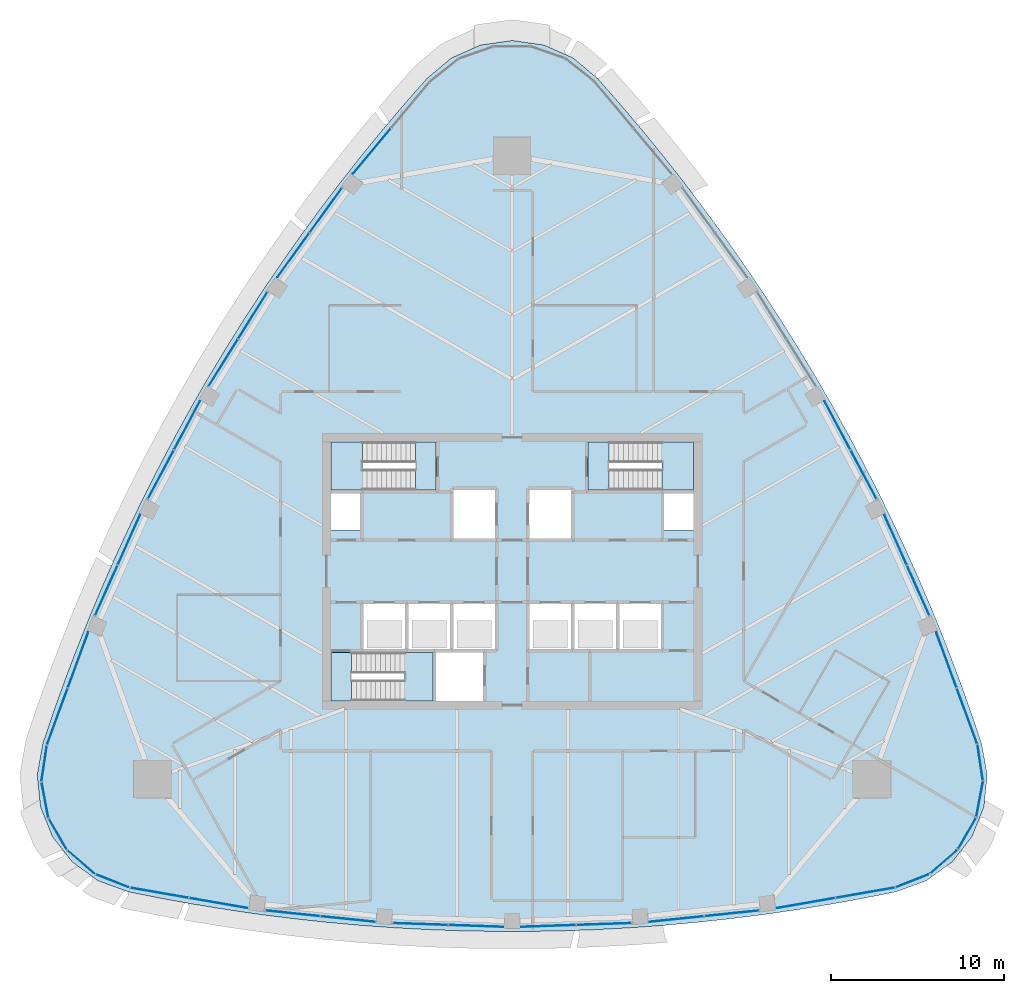
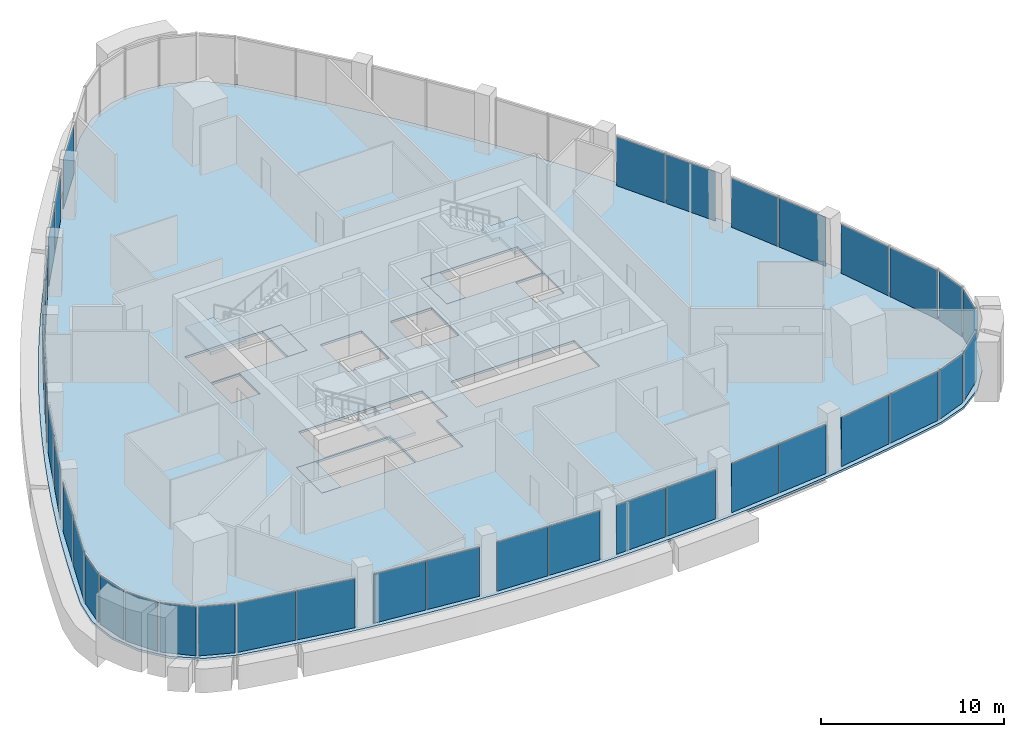
# One storey, part 7 of 15: 39 plates, 7 slabs, 28 elements without a shape of their own.
"""IFC4 building model written with IfcOpenShell, lengths in metres."""

from ifc_helpers import new_model, si_unit, direction, frame, origin, origin_2d, place, context, subcontext, project, spatial, polyline, rectangle, outline, extrude, material, layer, layer_set, type_object, element, aggregate, save


model = new_model("IFC4")

# Units and contexts
model_context = context("Model", 3, precision=1e-05, world=origin(), true_north=direction((0.0, 1.0)))
body_context = subcontext(model_context, "Body", "Model", "MODEL_VIEW")
ifc_project = project(units=[si_unit("LENGTHUNIT", "METRE"), si_unit("AREAUNIT", "SQUARE_METRE"), si_unit("VOLUMEUNIT", "CUBIC_METRE"), si_unit("PLANEANGLEUNIT", "RADIAN"), si_unit("MASSUNIT", "GRAM", prefix="KILO")], contexts=[model_context])

# Site, building, storey
site_placement = place(None, origin())
site = spatial("IfcSite", under=ifc_project, at=site_placement, CompositionType="ELEMENT")
building_placement = place(site_placement, origin())
building = spatial("IfcBuilding", under=site, at=building_placement, Name="Sierra Prisma Convention Tower", CompositionType="ELEMENT")
storey_placement = place(building_placement, frame((0.0, 0.0, 283.0)))
storey = spatial("IfcBuildingStorey", under=building, at=storey_placement, Name="L64", CompositionType="ELEMENT", Elevation=283.0)

# Curtain wall, plates
ifc_material_1 = material(Name="Aluminium and glass curtain wall", Category="aluminium")
ifc_layer_1 = layer(ifc_material_1, 0.179931640625)
ifc_layer_set_1 = layer_set([ifc_layer_1], Name="CW-1 Plain shaft curtain wall")
curtain_wall_type = type_object("IfcCurtainWallType", Name="CW-1 Plain shaft curtain wall", PredefinedType="NOTDEFINED", material=ifc_layer_set_1)
curtain_wall_1_placement = place(storey_placement, origin())
curtain_wall_1 = element("IfcCurtainWall", 1, at=curtain_wall_1_placement, inside=storey, type_object=curtain_wall_type, Name="CW-1 S1 L64", PredefinedType="NOTDEFINED")
ifc_material_2 = material(Name="Tinted glass bronze-grey IGU", Category="glass")
ifc_layer_2 = layer(ifc_material_2, 0.028076171875)
ifc_layer_set_2 = layer_set([ifc_layer_2], Name="CW-1 glass panel")
plate_type = type_object("IfcPlateType", Name="CW-1 glass panel", PredefinedType="CURTAIN_PANEL", material=ifc_layer_set_2)
plate_1_placement = place(storey_placement, frame((-20.418212890625, -18.607421875, 0.0), z_axis=(0.0, 0.0, 1.0), x_axis=(0.985269418337, -0.171009278371, 0.0)))
plate_1 = element("IfcPlate", 2, at=plate_1_placement, type_object=plate_type, Name="CW-1 panel S1.1", PredefinedType="CURTAIN_PANEL", context=body_context, shape_type="SweptSolid", body=[
    extrude(rectangle(XDim=3.38818359375, YDim=0.028076171875, at=origin_2d()), origin(), (0.0, 0.0, 1.0), 3.280029296875),
])
plate_2_placement = place(storey_placement, frame((-17.0107421875, -19.198974609375, 0.0), z_axis=(0.0, 0.0, 1.0), x_axis=(0.985269418337, -0.171009278371, 0.0)))
plate_2 = element("IfcPlate", 3, at=plate_2_placement, type_object=plate_type, Name="CW-1 panel S1.2", PredefinedType="CURTAIN_PANEL", context=body_context, shape_type="SweptSolid", body=[
    extrude(rectangle(XDim=3.38818359375, YDim=0.028076171875, at=origin_2d()), origin(), (0.0, 0.0, 1.0), 3.280029296875),
])
aggregate(curtain_wall_1, [plate_1, plate_2])

curtain_wall_2_placement = place(storey_placement, origin())
curtain_wall_2 = element("IfcCurtainWall", 4, at=curtain_wall_2_placement, inside=storey, type_object=curtain_wall_type, Name="CW-1 S2 L64", PredefinedType="NOTDEFINED")
plate_3_placement = place(storey_placement, frame((-12.7060546875, -19.79736328125, 0.0), z_axis=(0.0, 0.0, 1.0), x_axis=(0.994688628262, -0.102929746941, 0.0)))
plate_3 = element("IfcPlate", 5, at=plate_3_placement, type_object=plate_type, Name="CW-1 panel S2.1", PredefinedType="CURTAIN_PANEL", context=body_context, shape_type="SweptSolid", body=[
    extrude(rectangle(XDim=3.141357421875, YDim=0.028076171875, at=origin_2d()), origin(), (0.0, 0.0, 1.0), 3.280029296875),
])
plate_4_placement = place(storey_placement, frame((-9.51171875, -20.1279296875, 0.0), z_axis=(0.0, 0.0, 1.0), x_axis=(0.994688628262, -0.102929746941, 0.0)))
plate_4 = element("IfcPlate", 6, at=plate_4_placement, type_object=plate_type, Name="CW-1 panel S2.2", PredefinedType="CURTAIN_PANEL", context=body_context, shape_type="SweptSolid", body=[
    extrude(rectangle(XDim=3.141357421875, YDim=0.028076171875, at=origin_2d()), origin(), (0.0, 0.0, 1.0), 3.280029296875),
])
aggregate(curtain_wall_2, [plate_3, plate_4])

curtain_wall_3_placement = place(storey_placement, origin())
curtain_wall_3 = element("IfcCurtainWall", 7, at=curtain_wall_3_placement, inside=storey, type_object=curtain_wall_type, Name="CW-1 S3 L64", PredefinedType="NOTDEFINED")
plate_5_placement = place(storey_placement, frame((-5.32275390625, -20.41552734375, 0.0), z_axis=(0.0, 0.0, 1.0), x_axis=(0.999409382571, -0.034364022311, 0.0)))
plate_5 = element("IfcPlate", 8, at=plate_5_placement, type_object=plate_type, Name="CW-1 panel S3.1", PredefinedType="CURTAIN_PANEL", context=body_context, shape_type="SweptSolid", body=[
    extrude(rectangle(XDim=3.1572265625, YDim=0.028076171875, at=origin_2d()), origin(), (0.0, 0.0, 1.0), 3.280029296875),
])
plate_6_placement = place(storey_placement, frame((-2.097412109375, -20.5263671875, 0.0), z_axis=(0.0, 0.0, 1.0), x_axis=(0.999409382571, -0.034364022311, 0.0)))
plate_6 = element("IfcPlate", 9, at=plate_6_placement, type_object=plate_type, Name="CW-1 panel S3.2", PredefinedType="CURTAIN_PANEL", context=body_context, shape_type="SweptSolid", body=[
    extrude(rectangle(XDim=3.1572265625, YDim=0.028076171875, at=origin_2d()), origin(), (0.0, 0.0, 1.0), 3.280029296875),
])
aggregate(curtain_wall_3, [plate_5, plate_6])

curtain_wall_4_placement = place(storey_placement, origin())
curtain_wall_4 = element("IfcCurtainWall", 10, at=curtain_wall_4_placement, inside=storey, type_object=curtain_wall_type, Name="CW-1 S4 L64", PredefinedType="NOTDEFINED")
plate_7_placement = place(storey_placement, frame((2.097412109375, -20.5263671875, 0.0), z_axis=(0.0, 0.0, 1.0), x_axis=(0.999409382571, 0.034364022311, 0.0)))
plate_7 = element("IfcPlate", 11, at=plate_7_placement, type_object=plate_type, Name="CW-1 panel S4.1", PredefinedType="CURTAIN_PANEL", context=body_context, shape_type="SweptSolid", body=[
    extrude(rectangle(XDim=3.1572265625, YDim=0.028076171875, at=origin_2d()), origin(), (0.0, 0.0, 1.0), 3.280029296875),
])
plate_8_placement = place(storey_placement, frame((5.32275390625, -20.41552734375, 0.0), z_axis=(0.0, 0.0, 1.0), x_axis=(0.999409382571, 0.034364022311, 0.0)))
plate_8 = element("IfcPlate", 12, at=plate_8_placement, type_object=plate_type, Name="CW-1 panel S4.2", PredefinedType="CURTAIN_PANEL", context=body_context, shape_type="SweptSolid", body=[
    extrude(rectangle(XDim=3.1572265625, YDim=0.028076171875, at=origin_2d()), origin(), (0.0, 0.0, 1.0), 3.280029296875),
])
aggregate(curtain_wall_4, [plate_7, plate_8])

curtain_wall_5_placement = place(storey_placement, origin())
curtain_wall_5 = element("IfcCurtainWall", 13, at=curtain_wall_5_placement, inside=storey, type_object=curtain_wall_type, Name="CW-1 S5 L64", PredefinedType="NOTDEFINED")
plate_9_placement = place(storey_placement, frame((9.51171875, -20.1279296875, 0.0), z_axis=(0.0, 0.0, 1.0), x_axis=(0.994688628262, 0.102929746941, 0.0)))
plate_9 = element("IfcPlate", 14, at=plate_9_placement, type_object=plate_type, Name="CW-1 panel S5.1", PredefinedType="CURTAIN_PANEL", context=body_context, shape_type="SweptSolid", body=[
    extrude(rectangle(XDim=3.141357421875, YDim=0.028076171875, at=origin_2d()), origin(), (0.0, 0.0, 1.0), 3.280029296875),
])
plate_10_placement = place(storey_placement, frame((12.7060546875, -19.79736328125, 0.0), z_axis=(0.0, 0.0, 1.0), x_axis=(0.994688628262, 0.102929746941, 0.0)))
plate_10 = element("IfcPlate", 15, at=plate_10_placement, type_object=plate_type, Name="CW-1 panel S5.2", PredefinedType="CURTAIN_PANEL", context=body_context, shape_type="SweptSolid", body=[
    extrude(rectangle(XDim=3.141357421875, YDim=0.028076171875, at=origin_2d()), origin(), (0.0, 0.0, 1.0), 3.280029296875),
])
aggregate(curtain_wall_5, [plate_9, plate_10])

curtain_wall_6_placement = place(storey_placement, origin())
curtain_wall_6 = element("IfcCurtainWall", 16, at=curtain_wall_6_placement, inside=storey, type_object=curtain_wall_type, Name="CW-1 S6 L64", PredefinedType="NOTDEFINED")
plate_11_placement = place(storey_placement, frame((17.0107421875, -19.198974609375, 0.0), z_axis=(0.0, 0.0, 1.0), x_axis=(0.985269418337, 0.171009278371, 0.0)))
plate_11 = element("IfcPlate", 17, at=plate_11_placement, type_object=plate_type, Name="CW-1 panel S6.1", PredefinedType="CURTAIN_PANEL", context=body_context, shape_type="SweptSolid", body=[
    extrude(rectangle(XDim=3.38818359375, YDim=0.028076171875, at=origin_2d()), origin(), (0.0, 0.0, 1.0), 3.280029296875),
])
plate_12_placement = place(storey_placement, frame((20.418212890625, -18.607421875, 0.0), z_axis=(0.0, 0.0, 1.0), x_axis=(0.985269418337, 0.171009278371, 0.0)))
plate_12 = element("IfcPlate", 18, at=plate_12_placement, type_object=plate_type, Name="CW-1 panel S6.2", PredefinedType="CURTAIN_PANEL", context=body_context, shape_type="SweptSolid", body=[
    extrude(rectangle(XDim=3.38818359375, YDim=0.028076171875, at=origin_2d()), origin(), (0.0, 0.0, 1.0), 3.280029296875),
])
aggregate(curtain_wall_6, [plate_11, plate_12])

# Curtain wall, plate
curtain_wall_7_placement = place(storey_placement, origin())
curtain_wall_7 = element("IfcCurtainWall", 19, at=curtain_wall_7_placement, inside=storey, type_object=curtain_wall_type, Name="CW-1 SE1 L64", PredefinedType="NOTDEFINED")
plate_13_placement = place(storey_placement, frame((23.154541015625, -17.91357421875, 0.0), z_axis=(0.0, 0.0, 1.0), x_axis=(0.930720159994, 0.365732120249, 0.0)))
plate_13 = element("IfcPlate", 20, at=plate_13_placement, type_object=plate_type, Name="CW-1 panel SE1.1", PredefinedType="CURTAIN_PANEL", context=body_context, shape_type="SweptSolid", body=[
    extrude(rectangle(XDim=2.005126953125, YDim=0.028076171875, at=origin_2d()), origin(), (0.0, 0.0, 1.0), 3.280029296875),
])
aggregate(curtain_wall_7, [plate_13])

curtain_wall_8_placement = place(storey_placement, origin())
curtain_wall_8 = element("IfcCurtainWall", 21, at=curtain_wall_8_placement, inside=storey, type_object=curtain_wall_type, Name="CW-1 SE2 L64", PredefinedType="NOTDEFINED")
plate_14_placement = place(storey_placement, frame((24.965576171875, -16.821533203125, 0.0), z_axis=(0.0, 0.0, 1.0), x_axis=(0.757834669595, 0.652446636561, 0.0)))
plate_14 = element("IfcPlate", 22, at=plate_14_placement, type_object=plate_type, Name="CW-1 panel SE2.1", PredefinedType="CURTAIN_PANEL", context=body_context, shape_type="SweptSolid", body=[
    extrude(rectangle(XDim=2.005126953125, YDim=0.028076171875, at=origin_2d()), origin(), (0.0, 0.0, 1.0), 3.280029296875),
])
aggregate(curtain_wall_8, [plate_14])

curtain_wall_9_placement = place(storey_placement, origin())
curtain_wall_9 = element("IfcCurtainWall", 23, at=curtain_wall_9_placement, inside=storey, type_object=curtain_wall_type, Name="CW-1 SE3 L64", PredefinedType="NOTDEFINED")
plate_15_placement = place(storey_placement, frame((26.314697265625, -15.19287109375, 0.0), z_axis=(0.0, 0.0, 1.0), x_axis=(0.5, 0.866025403784, 0.0)))
plate_15 = element("IfcPlate", 24, at=plate_15_placement, type_object=plate_type, Name="CW-1 panel SE3.1", PredefinedType="CURTAIN_PANEL", context=body_context, shape_type="SweptSolid", body=[
    extrude(rectangle(XDim=2.005126953125, YDim=0.028076171875, at=origin_2d()), origin(), (0.0, 0.0, 1.0), 3.280029296875),
])
aggregate(curtain_wall_9, [plate_15])

curtain_wall_10_placement = place(storey_placement, origin())
curtain_wall_10 = element("IfcCurtainWall", 25, at=curtain_wall_10_placement, inside=storey, type_object=curtain_wall_type, Name="CW-1 SE4 L64", PredefinedType="NOTDEFINED")
plate_16_placement = place(storey_placement, frame((27.05078125, -13.210205078125, 0.0), z_axis=(0.0, 0.0, 1.0), x_axis=(0.186118027077, 0.982527394019, 0.0)))
plate_16 = element("IfcPlate", 26, at=plate_16_placement, type_object=plate_type, Name="CW-1 panel SE4.1", PredefinedType="CURTAIN_PANEL", context=body_context, shape_type="SweptSolid", body=[
    extrude(rectangle(XDim=2.005126953125, YDim=0.028076171875, at=origin_2d()), origin(), (0.0, 0.0, 1.0), 3.280029296875),
])
aggregate(curtain_wall_10, [plate_16])

curtain_wall_11_placement = place(storey_placement, origin())
curtain_wall_11 = element("IfcCurtainWall", 27, at=curtain_wall_11_placement, inside=storey, type_object=curtain_wall_type, Name="CW-1 SE5 L64", PredefinedType="NOTDEFINED")
plate_17_placement = place(storey_placement, frame((27.0908203125, -11.095703125, 0.0), z_axis=(0.0, 0.0, 1.0), x_axis=(-0.148626772882, 0.988893362493, 0.0)))
plate_17 = element("IfcPlate", 28, at=plate_17_placement, type_object=plate_type, Name="CW-1 panel SE5.1", PredefinedType="CURTAIN_PANEL", context=body_context, shape_type="SweptSolid", body=[
    extrude(rectangle(XDim=2.005126953125, YDim=0.028076171875, at=origin_2d()), origin(), (0.0, 0.0, 1.0), 3.280029296875),
])
aggregate(curtain_wall_11, [plate_17])

# Curtain wall, plates
curtain_wall_12_placement = place(storey_placement, origin())
curtain_wall_12 = element("IfcCurtainWall", 29, at=curtain_wall_12_placement, inside=storey, type_object=curtain_wall_type, Name="CW-1 NE1 L64", PredefinedType="NOTDEFINED")
plate_18_placement = place(storey_placement, frame((26.32373046875, -8.37890625, 0.0), z_axis=(0.0, 0.0, 1.0), x_axis=(-0.344536329817, 0.938772985038, 0.0)))
plate_18 = element("IfcPlate", 30, at=plate_18_placement, type_object=plate_type, Name="CW-1 panel NE1.1", PredefinedType="CURTAIN_PANEL", context=body_context, shape_type="SweptSolid", body=[
    extrude(rectangle(XDim=3.38818359375, YDim=0.028076171875, at=origin_2d()), origin(), (0.0, 0.0, 1.0), 3.280029296875),
])
plate_19_placement = place(storey_placement, frame((25.132080078125, -5.13232421875, 0.0), z_axis=(0.0, 0.0, 1.0), x_axis=(-0.344536329817, 0.938772985038, 0.0)))
plate_19 = element("IfcPlate", 31, at=plate_19_placement, type_object=plate_type, Name="CW-1 panel NE1.2", PredefinedType="CURTAIN_PANEL", context=body_context, shape_type="SweptSolid", body=[
    extrude(rectangle(XDim=3.38818359375, YDim=0.028076171875, at=origin_2d()), origin(), (0.0, 0.0, 1.0), 3.280029296875),
])
aggregate(curtain_wall_12, [plate_18, plate_19])

curtain_wall_13_placement = place(storey_placement, origin())
curtain_wall_13 = element("IfcCurtainWall", 32, at=curtain_wall_13_placement, inside=storey, type_object=curtain_wall_type, Name="CW-1 NE2 L64", PredefinedType="NOTDEFINED")
plate_20_placement = place(storey_placement, frame((23.498046875, -1.105224609375, 0.0), z_axis=(0.0, 0.0, 1.0), x_axis=(-0.408204538475, 0.912890494401, 0.0)))
plate_20 = element("IfcPlate", 33, at=plate_20_placement, type_object=plate_type, Name="CW-1 panel NE2.1", PredefinedType="CURTAIN_PANEL", context=body_context, shape_type="SweptSolid", body=[
    extrude(rectangle(XDim=3.1416015625, YDim=0.028076171875, at=origin_2d()), origin(), (0.0, 0.0, 1.0), 3.280029296875),
])
plate_21_placement = place(storey_placement, frame((22.18701171875, 1.826416015625, 0.0), z_axis=(0.0, 0.0, 1.0), x_axis=(-0.408204538475, 0.912890494401, 0.0)))
plate_21 = element("IfcPlate", 34, at=plate_21_placement, type_object=plate_type, Name="CW-1 panel NE2.2", PredefinedType="CURTAIN_PANEL", context=body_context, shape_type="SweptSolid", body=[
    extrude(rectangle(XDim=3.1416015625, YDim=0.028076171875, at=origin_2d()), origin(), (0.0, 0.0, 1.0), 3.280029296875),
])
aggregate(curtain_wall_13, [plate_20, plate_21])

curtain_wall_14_placement = place(storey_placement, origin())
curtain_wall_14 = element("IfcCurtainWall", 35, at=curtain_wall_14_placement, inside=storey, type_object=curtain_wall_type, Name="CW-1 NE3 L64", PredefinedType="NOTDEFINED")
plate_22_placement = place(storey_placement, frame((20.341796875, 5.59814453125, 0.0), z_axis=(0.0, 0.0, 1.0), x_axis=(-0.469944574988, 0.882695925243, 0.0)))
plate_22 = element("IfcPlate", 36, at=plate_22_placement, type_object=plate_type, Name="CW-1 panel NE3.1", PredefinedType="CURTAIN_PANEL", context=body_context, shape_type="SweptSolid", body=[
    extrude(rectangle(XDim=3.1572265625, YDim=0.028076171875, at=origin_2d()), origin(), (0.0, 0.0, 1.0), 3.280029296875),
])
plate_23_placement = place(storey_placement, frame((18.8251953125, 8.44677734375, 0.0), z_axis=(0.0, 0.0, 1.0), x_axis=(-0.469944574988, 0.882695925243, 0.0)))
plate_23 = element("IfcPlate", 37, at=plate_23_placement, type_object=plate_type, Name="CW-1 panel NE3.2", PredefinedType="CURTAIN_PANEL", context=body_context, shape_type="SweptSolid", body=[
    extrude(rectangle(XDim=3.1572265625, YDim=0.028076171875, at=origin_2d()), origin(), (0.0, 0.0, 1.0), 3.280029296875),
])
aggregate(curtain_wall_14, [plate_22, plate_23])

# Curtain wall, plate
curtain_wall_15_placement = place(storey_placement, origin())
curtain_wall_15 = element("IfcCurtainWall", 38, at=curtain_wall_15_placement, inside=storey, type_object=curtain_wall_type, Name="CW-1 NW1 L64", PredefinedType="NOTDEFINED")
plate_24_placement = place(storey_placement, frame((-8.121337890625, 24.331298828125, 0.0), z_axis=(0.0, 0.0, 1.0), x_axis=(-0.640733088521, -0.767763706667, 0.0)))
plate_24 = element("IfcPlate", 39, at=plate_24_placement, type_object=plate_type, Name="CW-1 panel NW1.2", PredefinedType="CURTAIN_PANEL", context=body_context, shape_type="SweptSolid", body=[
    extrude(rectangle(XDim=3.38818359375, YDim=0.028076171875, at=origin_2d()), origin(), (0.0, 0.0, 1.0), 3.280029296875),
])
aggregate(curtain_wall_15, [plate_24])

# Curtain wall, plates
curtain_wall_16_placement = place(storey_placement, origin())
curtain_wall_16 = element("IfcCurtainWall", 40, at=curtain_wall_16_placement, inside=storey, type_object=curtain_wall_type, Name="CW-1 NW2 L64", PredefinedType="NOTDEFINED")
plate_25_placement = place(storey_placement, frame((-10.7919921875, 20.90234375, 0.0), z_axis=(0.0, 0.0, 1.0), x_axis=(-0.586484089788, -0.80996074746, 0.0)))
plate_25 = element("IfcPlate", 41, at=plate_25_placement, type_object=plate_type, Name="CW-1 panel NW2.1", PredefinedType="CURTAIN_PANEL", context=body_context, shape_type="SweptSolid", body=[
    extrude(rectangle(XDim=3.141357421875, YDim=0.028076171875, at=origin_2d()), origin(), (0.0, 0.0, 1.0), 3.280029296875),
])
plate_26_placement = place(storey_placement, frame((-12.67529296875, 18.30126953125, 0.0), z_axis=(0.0, 0.0, 1.0), x_axis=(-0.586484089788, -0.80996074746, 0.0)))
plate_26 = element("IfcPlate", 42, at=plate_26_placement, type_object=plate_type, Name="CW-1 panel NW2.2", PredefinedType="CURTAIN_PANEL", context=body_context, shape_type="SweptSolid", body=[
    extrude(rectangle(XDim=3.141357421875, YDim=0.028076171875, at=origin_2d()), origin(), (0.0, 0.0, 1.0), 3.280029296875),
])
aggregate(curtain_wall_16, [plate_25, plate_26])

curtain_wall_17_placement = place(storey_placement, origin())
curtain_wall_17 = element("IfcCurtainWall", 43, at=curtain_wall_17_placement, inside=storey, type_object=curtain_wall_type, Name="CW-1 NW3 L64", PredefinedType="NOTDEFINED")
plate_27_placement = place(storey_placement, frame((-15.01904296875, 14.8173828125, 0.0), z_axis=(0.0, 0.0, 1.0), x_axis=(-0.529464807583, -0.848331902931, 0.0)))
plate_27 = element("IfcPlate", 44, at=plate_27_placement, type_object=plate_type, Name="CW-1 panel NW3.1", PredefinedType="CURTAIN_PANEL", context=body_context, shape_type="SweptSolid", body=[
    extrude(rectangle(XDim=3.1572265625, YDim=0.028076171875, at=origin_2d()), origin(), (0.0, 0.0, 1.0), 3.280029296875),
])
plate_28_placement = place(storey_placement, frame((-16.727783203125, 12.07958984375, 0.0), z_axis=(0.0, 0.0, 1.0), x_axis=(-0.529464807583, -0.848331902931, 0.0)))
plate_28 = element("IfcPlate", 45, at=plate_28_placement, type_object=plate_type, Name="CW-1 panel NW3.2", PredefinedType="CURTAIN_PANEL", context=body_context, shape_type="SweptSolid", body=[
    extrude(rectangle(XDim=3.1572265625, YDim=0.028076171875, at=origin_2d()), origin(), (0.0, 0.0, 1.0), 3.280029296875),
])
aggregate(curtain_wall_17, [plate_27, plate_28])

curtain_wall_18_placement = place(storey_placement, origin())
curtain_wall_18 = element("IfcCurtainWall", 46, at=curtain_wall_18_placement, inside=storey, type_object=curtain_wall_type, Name="CW-1 NW4 L64", PredefinedType="NOTDEFINED")
plate_29_placement = place(storey_placement, frame((-18.8251953125, 8.44677734375, 0.0), z_axis=(0.0, 0.0, 1.0), x_axis=(-0.469944574988, -0.882695925243, 0.0)))
plate_29 = element("IfcPlate", 47, at=plate_29_placement, type_object=plate_type, Name="CW-1 panel NW4.1", PredefinedType="CURTAIN_PANEL", context=body_context, shape_type="SweptSolid", body=[
    extrude(rectangle(XDim=3.1572265625, YDim=0.028076171875, at=origin_2d()), origin(), (0.0, 0.0, 1.0), 3.280029296875),
])
plate_30_placement = place(storey_placement, frame((-20.341796875, 5.59814453125, 0.0), z_axis=(0.0, 0.0, 1.0), x_axis=(-0.469944574988, -0.882695925243, 0.0)))
plate_30 = element("IfcPlate", 48, at=plate_30_placement, type_object=plate_type, Name="CW-1 panel NW4.2", PredefinedType="CURTAIN_PANEL", context=body_context, shape_type="SweptSolid", body=[
    extrude(rectangle(XDim=3.1572265625, YDim=0.028076171875, at=origin_2d()), origin(), (0.0, 0.0, 1.0), 3.280029296875),
])
aggregate(curtain_wall_18, [plate_29, plate_30])

curtain_wall_19_placement = place(storey_placement, origin())
curtain_wall_19 = element("IfcCurtainWall", 49, at=curtain_wall_19_placement, inside=storey, type_object=curtain_wall_type, Name="CW-1 NW5 L64", PredefinedType="NOTDEFINED")
plate_31_placement = place(storey_placement, frame((-22.18701171875, 1.826416015625, 0.0), z_axis=(0.0, 0.0, 1.0), x_axis=(-0.408204538475, -0.912890494401, 0.0)))
plate_31 = element("IfcPlate", 50, at=plate_31_placement, type_object=plate_type, Name="CW-1 panel NW5.1", PredefinedType="CURTAIN_PANEL", context=body_context, shape_type="SweptSolid", body=[
    extrude(rectangle(XDim=3.141357421875, YDim=0.028076171875, at=origin_2d()), origin(), (0.0, 0.0, 1.0), 3.280029296875),
])
plate_32_placement = place(storey_placement, frame((-23.498046875, -1.105224609375, 0.0), z_axis=(0.0, 0.0, 1.0), x_axis=(-0.408204538475, -0.912890494401, 0.0)))
plate_32 = element("IfcPlate", 51, at=plate_32_placement, type_object=plate_type, Name="CW-1 panel NW5.2", PredefinedType="CURTAIN_PANEL", context=body_context, shape_type="SweptSolid", body=[
    extrude(rectangle(XDim=3.141357421875, YDim=0.028076171875, at=origin_2d()), origin(), (0.0, 0.0, 1.0), 3.280029296875),
])
aggregate(curtain_wall_19, [plate_31, plate_32])

curtain_wall_20_placement = place(storey_placement, origin())
curtain_wall_20 = element("IfcCurtainWall", 52, at=curtain_wall_20_placement, inside=storey, type_object=curtain_wall_type, Name="CW-1 NW6 L64", PredefinedType="NOTDEFINED")
plate_33_placement = place(storey_placement, frame((-25.132080078125, -5.13232421875, 0.0), z_axis=(0.0, 0.0, 1.0), x_axis=(-0.344536329817, -0.938772985038, 0.0)))
plate_33 = element("IfcPlate", 53, at=plate_33_placement, type_object=plate_type, Name="CW-1 panel NW6.1", PredefinedType="CURTAIN_PANEL", context=body_context, shape_type="SweptSolid", body=[
    extrude(rectangle(XDim=3.38818359375, YDim=0.028076171875, at=origin_2d()), origin(), (0.0, 0.0, 1.0), 3.280029296875),
])
plate_34_placement = place(storey_placement, frame((-26.32373046875, -8.37890625, 0.0), z_axis=(0.0, 0.0, 1.0), x_axis=(-0.344536329817, -0.938772985038, 0.0)))
plate_34 = element("IfcPlate", 54, at=plate_34_placement, type_object=plate_type, Name="CW-1 panel NW6.2", PredefinedType="CURTAIN_PANEL", context=body_context, shape_type="SweptSolid", body=[
    extrude(rectangle(XDim=3.38818359375, YDim=0.028076171875, at=origin_2d()), origin(), (0.0, 0.0, 1.0), 3.280029296875),
])
aggregate(curtain_wall_20, [plate_33, plate_34])

# Curtain wall, plate
curtain_wall_21_placement = place(storey_placement, origin())
curtain_wall_21 = element("IfcCurtainWall", 55, at=curtain_wall_21_placement, inside=storey, type_object=curtain_wall_type, Name="CW-1 SW1 L64", PredefinedType="NOTDEFINED")
plate_35_placement = place(storey_placement, frame((-27.0908203125, -11.095703125, 0.0), z_axis=(0.0, 0.0, 1.0), x_axis=(-0.148626772882, -0.988893362493, 0.0)))
plate_35 = element("IfcPlate", 56, at=plate_35_placement, type_object=plate_type, Name="CW-1 panel SW1.1", PredefinedType="CURTAIN_PANEL", context=body_context, shape_type="SweptSolid", body=[
    extrude(rectangle(XDim=2.005126953125, YDim=0.028076171875, at=origin_2d()), origin(), (0.0, 0.0, 1.0), 3.280029296875),
])
aggregate(curtain_wall_21, [plate_35])

curtain_wall_22_placement = place(storey_placement, origin())
curtain_wall_22 = element("IfcCurtainWall", 57, at=curtain_wall_22_placement, inside=storey, type_object=curtain_wall_type, Name="CW-1 SW2 L64", PredefinedType="NOTDEFINED")
plate_36_placement = place(storey_placement, frame((-27.05078125, -13.210205078125, 0.0), z_axis=(0.0, 0.0, 1.0), x_axis=(0.186118027077, -0.982527394019, 0.0)))
plate_36 = element("IfcPlate", 58, at=plate_36_placement, type_object=plate_type, Name="CW-1 panel SW2.1", PredefinedType="CURTAIN_PANEL", context=body_context, shape_type="SweptSolid", body=[
    extrude(rectangle(XDim=2.005126953125, YDim=0.028076171875, at=origin_2d()), origin(), (0.0, 0.0, 1.0), 3.280029296875),
])
aggregate(curtain_wall_22, [plate_36])

curtain_wall_23_placement = place(storey_placement, origin())
curtain_wall_23 = element("IfcCurtainWall", 59, at=curtain_wall_23_placement, inside=storey, type_object=curtain_wall_type, Name="CW-1 SW3 L64", PredefinedType="NOTDEFINED")
plate_37_placement = place(storey_placement, frame((-26.314697265625, -15.19287109375, 0.0), z_axis=(0.0, 0.0, 1.0), x_axis=(0.5, -0.866025403784, 0.0)))
plate_37 = element("IfcPlate", 60, at=plate_37_placement, type_object=plate_type, Name="CW-1 panel SW3.1", PredefinedType="CURTAIN_PANEL", context=body_context, shape_type="SweptSolid", body=[
    extrude(rectangle(XDim=2.005126953125, YDim=0.028076171875, at=origin_2d()), origin(), (0.0, 0.0, 1.0), 3.280029296875),
])
aggregate(curtain_wall_23, [plate_37])

curtain_wall_24_placement = place(storey_placement, origin())
curtain_wall_24 = element("IfcCurtainWall", 61, at=curtain_wall_24_placement, inside=storey, type_object=curtain_wall_type, Name="CW-1 SW4 L64", PredefinedType="NOTDEFINED")
plate_38_placement = place(storey_placement, frame((-24.965576171875, -16.821533203125, 0.0), z_axis=(0.0, 0.0, 1.0), x_axis=(0.757834669595, -0.652446636561, 0.0)))
plate_38 = element("IfcPlate", 62, at=plate_38_placement, type_object=plate_type, Name="CW-1 panel SW4.1", PredefinedType="CURTAIN_PANEL", context=body_context, shape_type="SweptSolid", body=[
    extrude(rectangle(XDim=2.005126953125, YDim=0.028076171875, at=origin_2d()), origin(), (0.0, 0.0, 1.0), 3.280029296875),
])
aggregate(curtain_wall_24, [plate_38])

curtain_wall_25_placement = place(storey_placement, origin())
curtain_wall_25 = element("IfcCurtainWall", 63, at=curtain_wall_25_placement, inside=storey, type_object=curtain_wall_type, Name="CW-1 SW5 L64", PredefinedType="NOTDEFINED")
plate_39_placement = place(storey_placement, frame((-23.154541015625, -17.91357421875, 0.0), z_axis=(0.0, 0.0, 1.0), x_axis=(0.930720159994, -0.365732120249, 0.0)))
plate_39 = element("IfcPlate", 64, at=plate_39_placement, type_object=plate_type, Name="CW-1 panel SW5.1", PredefinedType="CURTAIN_PANEL", context=body_context, shape_type="SweptSolid", body=[
    extrude(rectangle(XDim=2.005126953125, YDim=0.028076171875, at=origin_2d()), origin(), (0.0, 0.0, 1.0), 3.280029296875),
])
aggregate(curtain_wall_25, [plate_39])

# Slab
ifc_material_3 = material(Name="Concrete C35/45", Category="concrete")
ifc_layer_3 = layer(ifc_material_3, 0.14990234375)
ifc_layer_set_3 = layer_set([ifc_layer_3], Name="Composite floor slab 150")
slab_type_1 = type_object("IfcSlabType", Name="Composite floor slab 150", PredefinedType="FLOOR", material=ifc_layer_set_3)
slab_1_placement = place(storey_placement, frame((0.0, 0.0, -0.14990234375)))
element("IfcSlab", 65, at=slab_1_placement, inside=storey, type_object=slab_type_1, Name="Floor slab L64 floor", PredefinedType="FLOOR", context=body_context, shape_type="SweptSolid", body=[
    extrude(outline(polyline([(-22.20751953125, -18.550537109375), (-20.30029296875, -18.931640625), (-18.38671875, -19.278564453125), (-16.46728515625, -19.591064453125), (-14.54248046875, -19.869140625), (-12.61279296875, -20.112548828125), (-10.67919921875, -20.321533203125), (-8.7421875, -20.49560546875), (-6.802490234375, -20.635009765625), (-4.8603515625, -20.739501953125), (-2.9169921875, -20.809326171875), (-0.972412109375, -20.84423828125), (0.972412109375, -20.84423828125), (2.9169921875, -20.809326171875), (4.8603515625, -20.739501953125), (6.802490234375, -20.635009765625), (8.7421875, -20.49560546875), (10.67919921875, -20.321533203125), (12.61279296875, -20.112548828125), (14.54248046875, -19.869140625), (16.46728515625, -19.591064453125), (18.38671875, -19.278564453125), (20.30029296875, -18.931640625), (22.20751953125, -18.550537109375), (23.95703125, -17.9189453125), (25.463623046875, -16.828125), (26.609619140625, -15.363037109375), (27.305419921875, -13.637939453125), (27.496826171875, -11.787841796875), (27.1689453125, -9.95703125), (26.54541015625, -8.11474609375), (25.88916015625, -6.2841796875), (25.199951171875, -4.465576171875), (24.478271484375, -2.659423828125), (23.724609375, -0.86669921875), (22.9384765625, 0.912109375), (22.120849609375, 2.6767578125), (21.271728515625, 4.426513671875), (20.391357421875, 6.160400390625), (19.47998046875, 7.878662109375), (18.537841796875, 9.580078125), (17.5654296875, 11.26416015625), (16.56298828125, 12.930908203125), (15.53076171875, 14.5791015625), (14.46923828125, 16.208740234375), (13.378662109375, 17.81884765625), (12.25927734375, 19.4091796875), (11.111572265625, 20.9794921875), (9.93603515625, 22.528564453125), (8.73291015625, 24.056640625), (7.50244140625, 25.562744140625), (6.2451171875, 27.04638671875), (4.96142578125, 28.507568359375), (3.539794921875, 29.70703125), (1.841796875, 30.46630859375), (0.0, 30.72607421875), (-1.841796875, 30.46630859375), (-3.539794921875, 29.70703125), (-4.96142578125, 28.507568359375), (-6.2451171875, 27.04638671875), (-7.50244140625, 25.562744140625), (-8.73291015625, 24.056640625), (-9.93603515625, 22.528564453125), (-11.111572265625, 20.9794921875), (-12.25927734375, 19.4091796875), (-13.378662109375, 17.81884765625), (-14.46923828125, 16.208740234375), (-15.53076171875, 14.5791015625), (-16.56298828125, 12.930908203125), (-17.5654296875, 11.26416015625), (-18.537841796875, 9.580078125), (-19.47998046875, 7.878662109375), (-20.391357421875, 6.160400390625), (-21.271728515625, 4.426513671875), (-22.120849609375, 2.6767578125), (-22.9384765625, 0.912109375), (-23.724609375, -0.86669921875), (-24.478271484375, -2.659423828125), (-25.199951171875, -4.465576171875), (-25.88916015625, -6.2841796875), (-26.54541015625, -8.11474609375), (-27.1689453125, -9.95703125), (-27.496826171875, -11.787841796875), (-27.305419921875, -13.637939453125), (-26.609619140625, -15.363037109375), (-25.463623046875, -16.828125), (-23.95703125, -17.9189453125), (-22.20751953125, -18.550537109375)]), holes=[polyline([(-4.60009765625, -4.699951171875), (-4.60009765625, -7.5), (-10.5, -7.5), (-10.5, -4.699951171875), (-4.60009765625, -4.699951171875)]), polyline([(-4.5, -7.5), (-4.5, -4.60009765625), (-6.10009765625, -4.60009765625), (-8.699951171875, -4.60009765625), (-8.699951171875, -1.800048828125), (-6.10009765625, -1.800048828125), (-3.5, -1.800048828125), (-0.89990234375, -1.800048828125), (-0.89990234375, -4.60009765625), (-1.60009765625, -4.60009765625), (-1.60009765625, -7.5), (-4.5, -7.5)]), polyline([(-8.699951171875, 2.39990234375), (-10.5, 2.39990234375), (-10.5, 4.60009765625), (-8.699951171875, 4.60009765625), (-8.699951171875, 2.39990234375)]), polyline([(-4.39990234375, 4.699951171875), (-10.5, 4.699951171875), (-10.5, 7.5), (-4.39990234375, 7.5), (-4.39990234375, 4.699951171875)]), polyline([(3.5, -1.800048828125), (6.10009765625, -1.800048828125), (8.699951171875, -1.800048828125), (8.699951171875, -4.60009765625), (6.10009765625, -4.60009765625), (3.5, -4.60009765625), (0.89990234375, -4.60009765625), (0.89990234375, -1.800048828125), (3.5, -1.800048828125)]), polyline([(-0.89990234375, 1.800048828125), (-3.5, 1.800048828125), (-3.5, 4.800048828125), (-0.89990234375, 4.800048828125), (-0.89990234375, 1.800048828125)]), polyline([(3.5, 1.800048828125), (0.89990234375, 1.800048828125), (0.89990234375, 4.800048828125), (3.5, 4.800048828125), (3.5, 1.800048828125)]), polyline([(10.5, 2.39990234375), (8.699951171875, 2.39990234375), (8.699951171875, 4.60009765625), (10.5, 4.60009765625), (10.5, 2.39990234375)]), polyline([(10.5, 4.699951171875), (4.39990234375, 4.699951171875), (4.39990234375, 7.5), (10.5, 7.5), (10.5, 4.699951171875)])]), origin(), (0.0, 0.0, 1.0), 0.14990234375),
])

# Stair, slab
ifc_material_4 = material(Name="Concrete C30/37", Category="concrete")
stair_type = type_object("IfcStairType", Name="Stair dog-leg 1200 RC", PredefinedType="HALF_TURN_STAIR", material=ifc_material_4)
stair_1_placement = place(storey_placement, origin())
stair_1 = element("IfcStair", 66, at=stair_1_placement, inside=storey, type_object=stair_type, Name="L64 S1", PredefinedType="HALF_TURN_STAIR")
ifc_material_5 = material(Name="Concrete C35/45", Category="concrete")
ifc_layer_4 = layer(ifc_material_5, 0.199951171875)
ifc_layer_set_4 = layer_set([ifc_layer_4], Name="Stair landing slab")
slab_type_2 = type_object("IfcSlabType", Name="Stair landing slab", PredefinedType="LANDING", material=ifc_layer_set_4)
slab_2_placement = place(storey_placement, frame((0.0, 0.0, 1.800048828125)))
slab_2 = element("IfcSlab", 67, at=slab_2_placement, type_object=slab_type_2, Name="S1 landing 1", PredefinedType="LANDING", context=body_context, shape_type="SweptSolid", body=[
    extrude(outline(polyline([(-4.60009765625, -4.699951171875), (-4.60009765625, -7.5), (-6.221923828125, -7.5), (-6.221923828125, -5.89990234375), (-6.669921875, -5.89990234375), (-6.669921875, -4.699951171875), (-4.60009765625, -4.699951171875)])), origin(), (0.0, 0.0, 1.0), 0.199951171875),
])
aggregate(stair_1, [slab_2])

# Slab
slab_3_placement = place(storey_placement, frame((0.0, 0.0, -0.199951171875)))
element("IfcSlab", 68, at=slab_3_placement, inside=storey, type_object=slab_type_2, Name="S1 floor landing L64", PredefinedType="LANDING", context=body_context, shape_type="SweptSolid", body=[
    extrude(outline(polyline([(-10.5, -7.5), (-9.298095703125, -7.5), (-9.298095703125, -4.699951171875), (-10.5, -4.699951171875), (-10.5, -7.5)])), origin(), (0.0, 0.0, 1.0), 0.199951171875),
])

# Stair, slab
stair_2_placement = place(storey_placement, origin())
stair_2 = element("IfcStair", 69, at=stair_2_placement, inside=storey, type_object=stair_type, Name="L64 S3", PredefinedType="HALF_TURN_STAIR")
slab_4_placement = place(storey_placement, frame((0.0, 0.0, 1.800048828125)))
slab_4 = element("IfcSlab", 70, at=slab_4_placement, type_object=slab_type_2, Name="S3 landing 1", PredefinedType="LANDING", context=body_context, shape_type="SweptSolid", body=[
    extrude(outline(polyline([(-8.22998046875, 5.89990234375), (-8.22998046875, 4.699951171875), (-10.5, 4.699951171875), (-10.5, 7.5), (-8.677978515625, 7.5), (-8.677978515625, 5.89990234375), (-8.22998046875, 5.89990234375)])), origin(), (0.0, 0.0, 1.0), 0.199951171875),
])
aggregate(stair_2, [slab_4])

# Slab
slab_5_placement = place(storey_placement, frame((0.0, 0.0, -0.199951171875)))
element("IfcSlab", 71, at=slab_5_placement, inside=storey, type_object=slab_type_2, Name="S3 floor landing L64", PredefinedType="LANDING", context=body_context, shape_type="SweptSolid", body=[
    extrude(outline(polyline([(-4.39990234375, 7.5), (-5.60205078125, 7.5), (-5.60205078125, 4.699951171875), (-4.39990234375, 4.699951171875), (-4.39990234375, 7.5)])), origin(), (0.0, 0.0, 1.0), 0.199951171875),
])

# Stair, slab
stair_3_placement = place(storey_placement, origin())
stair_3 = element("IfcStair", 72, at=stair_3_placement, inside=storey, type_object=stair_type, Name="L64 S4", PredefinedType="HALF_TURN_STAIR")
slab_6_placement = place(storey_placement, frame((0.0, 0.0, 1.800048828125)))
slab_6 = element("IfcSlab", 73, at=slab_6_placement, type_object=slab_type_2, Name="S4 landing 1", PredefinedType="LANDING", context=body_context, shape_type="SweptSolid", body=[
    extrude(outline(polyline([(10.5, 7.5), (10.5, 4.699951171875), (8.677978515625, 4.699951171875), (8.677978515625, 6.300048828125), (8.22998046875, 6.300048828125), (8.22998046875, 7.5), (10.5, 7.5)])), origin(), (0.0, 0.0, 1.0), 0.199951171875),
])
aggregate(stair_3, [slab_6])

# Slab
slab_7_placement = place(storey_placement, frame((0.0, 0.0, -0.199951171875)))
element("IfcSlab", 74, at=slab_7_placement, inside=storey, type_object=slab_type_2, Name="S4 floor landing L64", PredefinedType="LANDING", context=body_context, shape_type="SweptSolid", body=[
    extrude(outline(polyline([(4.39990234375, 4.699951171875), (5.60205078125, 4.699951171875), (5.60205078125, 7.5), (4.39990234375, 7.5), (4.39990234375, 4.699951171875)])), origin(), (0.0, 0.0, 1.0), 0.199951171875),
])

save(model, "model.ifc")
